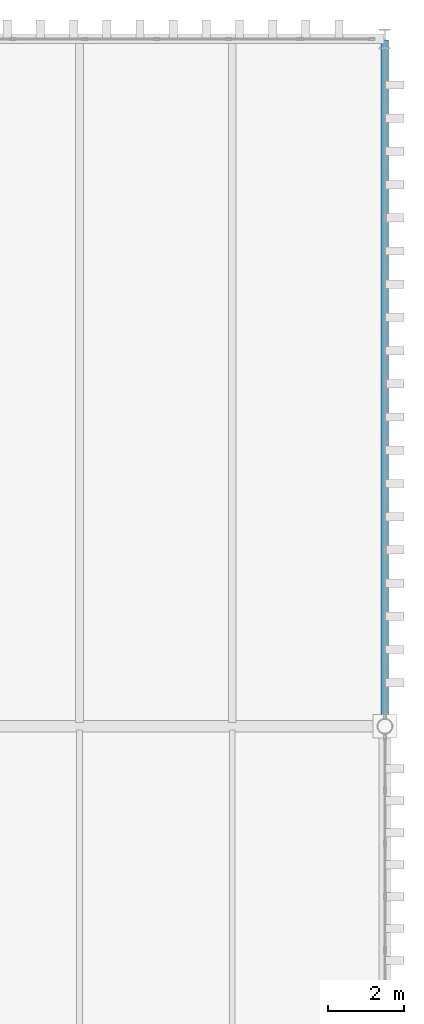
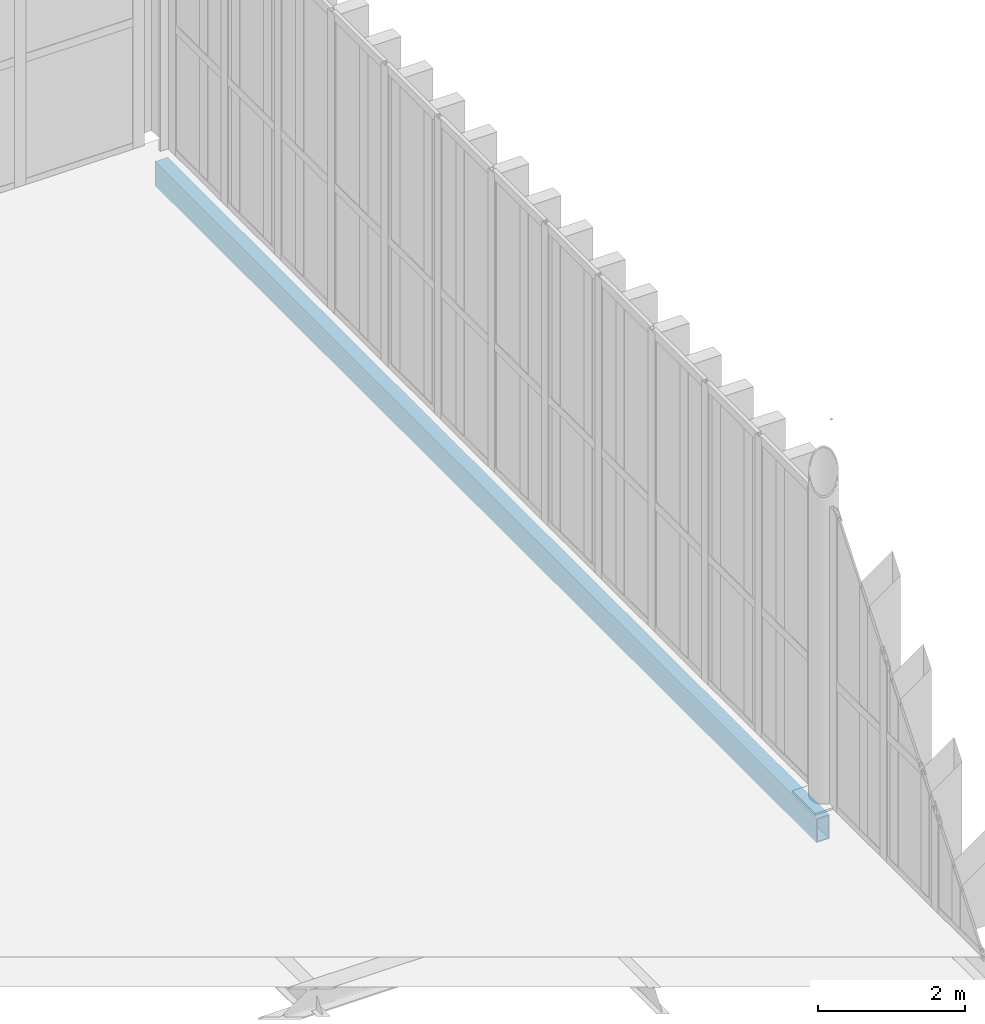
# One storey, part 134 of 211: 1 beam.
"""IFC4 building model written with IfcOpenShell, lengths in metres."""

from ifc_helpers import new_model, si_unit, direction, frame, origin, origin_2d, place, context, subcontext, project, spatial, hollow_rectangle, extrude, material, material_profile, profile_set, type_object, element, save


model = new_model("IFC4")

# Units and contexts
model_context = context("Model", 3, precision=1e-05, world=origin(), true_north=direction((0.0, 1.0)))
body_context = subcontext(model_context, "Body", "Model", "MODEL_VIEW")
ifc_project = project(units=[si_unit("LENGTHUNIT", "METRE"), si_unit("AREAUNIT", "SQUARE_METRE"), si_unit("VOLUMEUNIT", "CUBIC_METRE"), si_unit("PLANEANGLEUNIT", "RADIAN"), si_unit("MASSUNIT", "GRAM", prefix="KILO")], contexts=[model_context])

# Site, building, storey
site_placement = place(None, origin())
site = spatial("IfcSite", under=ifc_project, at=site_placement, CompositionType="ELEMENT")
building_placement = place(site_placement, origin())
building = spatial("IfcBuilding", under=site, at=building_placement, Name="Barlavento Convention Centre", CompositionType="ELEMENT")
storey_placement = place(building_placement, frame((0.0, 0.0, 6.0)))
storey = spatial("IfcBuildingStorey", under=building, at=storey_placement, Name="L01", CompositionType="ELEMENT", Elevation=6.0)

# Beam
ifc_material = material(Name="Steel S355", Category="steel")
ifc_material_profile = material_profile(ifc_material, hollow_rectangle(XDim=0.199951171875, YDim=0.39990234375, WallThickness=0.01611328125, at=origin_2d()), Name="RHS 400x200x16.0")
ifc_profile_set = profile_set([ifc_material_profile], Name="Steel S355")
beam_type = type_object("IfcBeamType", Name="STR-BM-SPN-RHS400", PredefinedType="SPANDREL", material=ifc_profile_set)
beam_placement = place(storey_placement, frame((192.0, 117.02001953125, -0.530029296875), z_axis=(0.0, 1.0, 0.0), x_axis=(-1.0, 0.0, 0.0)))
element("IfcBeam", 1, at=beam_placement, inside=storey, type_object=beam_type, Name="L01 grid girder SP06", PredefinedType="SPANDREL", context=body_context, shape_type="SweptSolid", body=[
    extrude(hollow_rectangle(XDim=0.199951171875, YDim=0.39990234375, WallThickness=0.01611328125, at=origin_2d()), origin(), (0.0, 0.0, 1.0), 17.9599609375),
])

save(model, "model.ifc")
